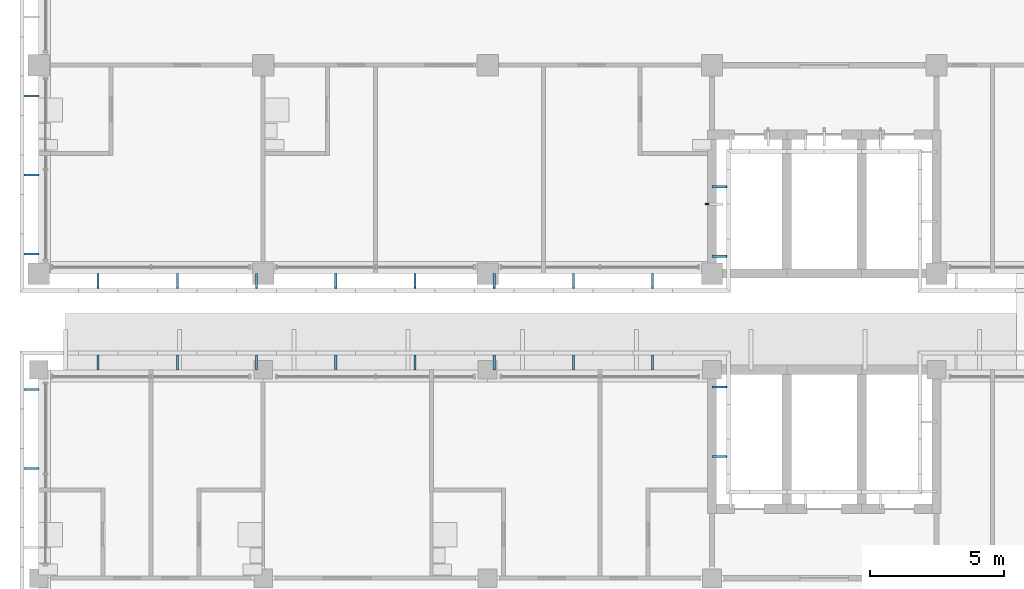
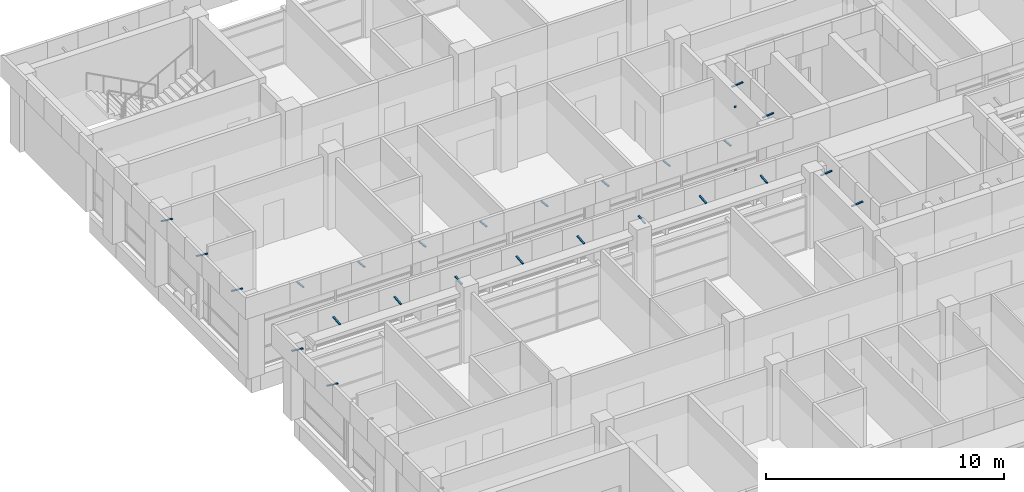
# One storey, part 44 of 71: 27 discrete accessories.
"""IFC4 building model written with IfcOpenShell, lengths in metres."""

from ifc_helpers import new_model, si_unit, direction, frame, origin, origin_2d, place, context, subcontext, project, spatial, rectangle, extrude, material, material_profile, profile_set, type_object, element, save


model = new_model("IFC4")

# Units and contexts
model_context = context("Model", 3, precision=1e-05, world=origin(), true_north=direction((0.0, 1.0)))
body_context = subcontext(model_context, "Body", "Model", "MODEL_VIEW")
ifc_project = project(units=[si_unit("LENGTHUNIT", "METRE"), si_unit("AREAUNIT", "SQUARE_METRE"), si_unit("VOLUMEUNIT", "CUBIC_METRE"), si_unit("PLANEANGLEUNIT", "RADIAN"), si_unit("MASSUNIT", "GRAM", prefix="KILO")], contexts=[model_context])

# Site, building, storey
site_placement = place(None, origin())
site = spatial("IfcSite", under=ifc_project, at=site_placement, CompositionType="ELEMENT")
building_placement = place(site_placement, origin())
building = spatial("IfcBuilding", under=site, at=building_placement, Name="Bougainvillea Quay General Hospital", CompositionType="ELEMENT")
storey_placement = place(building_placement, frame((0.0, 0.0, 24.89990234375)))
storey = spatial("IfcBuildingStorey", under=building, at=storey_placement, Name="L05", CompositionType="ELEMENT", Elevation=24.89990234375)

# Discrete accessories
ifc_material = material(Name="Stainless steel bracket, grade 316", Category="steel")
discrete_accessory_type_1 = type_object("IfcDiscreteAccessoryType", Name="Stainless steel fin arm 60x80", PredefinedType="BRACKET", material=ifc_material)
for number, where, z_axis, x_axis, name in (
    (1, (67.010009765625, 143.0, 0.0), (0.0, 0.0, 1.0), (1.0, 0.0, 0.0), "Fin arm V5A L05 03.1B"),
    (2, (67.010009765625, 143.0, 3.25), (0.0, 0.0, 1.0), (1.0, 0.0, 0.0), "Fin arm V5A L05 03.1T"),
):
    element("IfcDiscreteAccessory", number, at=place(storey_placement, frame(where, z_axis=z_axis, x_axis=x_axis)), inside=storey, type_object=discrete_accessory_type_1, Name=name, PredefinedType="BRACKET", context=body_context, shape_type="SweptSolid", body=[
        extrude(rectangle(XDim=0.1201171875, YDim=0.06005859375, at=origin_2d()), origin(), (0.0, 0.0, 1.0), 0.080078125),
    ])
ifc_material_profile = material_profile(ifc_material, rectangle(XDim=0.080078125, YDim=0.050048828125, at=origin_2d()))
ifc_profile_set = profile_set([ifc_material_profile], Name="Stainless steel bracket, grade 316")
discrete_accessory_type_2 = type_object("IfcDiscreteAccessoryType", Name="Stainless steel stand-off bracket 80x50", PredefinedType="BRACKET", material=ifc_profile_set)
for number, where, z_axis, x_axis, name in (
    (3, (42.0, 147.046142578125, 3.840087890625), (-0.994091793559, 0.0, 0.108542645901), (0.0, -1.0, 0.0), "Fascia bracket e0 105"),
    (4, (42.0, 144.09228515625, 3.840087890625), (-0.994091793559, 0.0, 0.108542645901), (0.0, -1.0, 0.0), "Fascia bracket e0 107"),
    (5, (42.0, 141.138427734375, 3.840087890625), (-0.994091793559, 0.0, 0.108542645901), (0.0, -1.0, 0.0), "Fascia bracket e0 109"),
):
    element("IfcDiscreteAccessory", number, at=place(storey_placement, frame(where, z_axis=z_axis, x_axis=x_axis)), inside=storey, type_object=discrete_accessory_type_2, Name=name, PredefinedType="BRACKET", context=body_context, shape_type="SweptSolid", body=[
        extrude(rectangle(XDim=0.080078125, YDim=0.050048828125, at=origin_2d()), origin(), (0.0, 0.0, 1.0), 0.55322265625),
    ])
for number, where, z_axis, x_axis, name in (
    (6, (44.2236328125, 140.39990234375, 3.840087890625), (0.0, -0.994086591779, 0.108590276011), (1.0, 0.0, 0.0), "Fascia bracket e0 111"),
    (7, (47.188232421875, 140.39990234375, 3.840087890625), (0.0, -0.994086591779, 0.108590276011), (1.0, 0.0, 0.0), "Fascia bracket e0 113"),
    (8, (50.15283203125, 140.39990234375, 3.840087890625), (0.0, -0.994086591779, 0.108590276011), (1.0, 0.0, 0.0), "Fascia bracket e0 115"),
    (9, (53.11767578125, 140.39990234375, 3.840087890625), (0.0, -0.994086591779, 0.108590276011), (1.0, 0.0, 0.0), "Fascia bracket e0 117"),
    (10, (56.082275390625, 140.39990234375, 3.840087890625), (0.0, -0.994086591779, 0.108590276011), (1.0, 0.0, 0.0), "Fascia bracket e0 119"),
    (11, (59.047119140625, 140.39990234375, 3.840087890625), (0.0, -0.994086591779, 0.108590276011), (1.0, 0.0, 0.0), "Fascia bracket e0 121"),
    (12, (62.01171875, 140.39990234375, 3.840087890625), (0.0, -0.994086591779, 0.108590276011), (1.0, 0.0, 0.0), "Fascia bracket e0 123"),
    (13, (64.9765625, 140.39990234375, 3.840087890625), (0.0, -0.994086591779, 0.108590276011), (1.0, 0.0, 0.0), "Fascia bracket e0 125"),
):
    element("IfcDiscreteAccessory", number, at=place(storey_placement, frame(where, z_axis=z_axis, x_axis=x_axis)), inside=storey, type_object=discrete_accessory_type_2, Name=name, PredefinedType="BRACKET", context=body_context, shape_type="SweptSolid", body=[
        extrude(rectangle(XDim=0.080078125, YDim=0.050048828125, at=origin_2d()), origin(), (0.0, 0.0, 1.0), 0.552978515625),
    ])
for number, where, z_axis, x_axis, name in (
    (14, (67.199951171875, 141.050048828125, 3.840087890625), (0.994091793559, 0.0, 0.108542645901), (0.0, 1.0, 0.0), "Fascia bracket e0 127"),
    (15, (67.199951171875, 143.64990234375, 3.840087890625), (0.994091793559, 0.0, 0.108542645901), (0.0, 1.0, 0.0), "Fascia bracket e0 129"),
    (16, (42.0, 136.0615234375, 3.840087890625), (-0.994091793559, 0.0, 0.108542645901), (0.0, -1.0, 0.0), "Fascia bracket e0 1"),
    (17, (42.0, 133.107666015625, 3.840087890625), (-0.994091793559, 0.0, 0.108542645901), (0.0, -1.0, 0.0), "Fascia bracket e0 3"),
    (18, (67.199951171875, 133.550048828125, 3.840087890625), (0.994091793559, 0.0, 0.108542645901), (0.0, 1.0, 0.0), "Fascia bracket e0 193"),
    (19, (67.199951171875, 136.14990234375, 3.840087890625), (0.994091793559, 0.0, 0.108542645901), (0.0, 1.0, 0.0), "Fascia bracket e0 195"),
    (20, (64.9765625, 136.800048828125, 3.840087890625), (0.0, 0.994091793559, 0.108542645901), (-1.0, 0.0, 0.0), "Fascia bracket e0 197"),
    (21, (62.01171875, 136.800048828125, 3.840087890625), (0.0, 0.994091793559, 0.108542645901), (-1.0, 0.0, 0.0), "Fascia bracket e0 199"),
    (22, (59.047119140625, 136.800048828125, 3.840087890625), (0.0, 0.994091793559, 0.108542645901), (-1.0, 0.0, 0.0), "Fascia bracket e0 201"),
    (23, (56.082275390625, 136.800048828125, 3.840087890625), (0.0, 0.994091793559, 0.108542645901), (-1.0, 0.0, 0.0), "Fascia bracket e0 203"),
    (24, (53.11767578125, 136.800048828125, 3.840087890625), (0.0, 0.994091793559, 0.108542645901), (-1.0, 0.0, 0.0), "Fascia bracket e0 205"),
    (25, (50.15283203125, 136.800048828125, 3.840087890625), (0.0, 0.994091793559, 0.108542645901), (-1.0, 0.0, 0.0), "Fascia bracket e0 207"),
    (26, (47.188232421875, 136.800048828125, 3.840087890625), (0.0, 0.994091793559, 0.108542645901), (-1.0, 0.0, 0.0), "Fascia bracket e0 209"),
    (27, (44.2236328125, 136.800048828125, 3.840087890625), (0.0, 0.994091793559, 0.108542645901), (-1.0, 0.0, 0.0), "Fascia bracket e0 211"),
):
    element("IfcDiscreteAccessory", number, at=place(storey_placement, frame(where, z_axis=z_axis, x_axis=x_axis)), inside=storey, type_object=discrete_accessory_type_2, Name=name, PredefinedType="BRACKET", context=body_context, shape_type="SweptSolid", body=[
        extrude(rectangle(XDim=0.080078125, YDim=0.050048828125, at=origin_2d()), origin(), (0.0, 0.0, 1.0), 0.55322265625),
    ])

save(model, "model.ifc")
